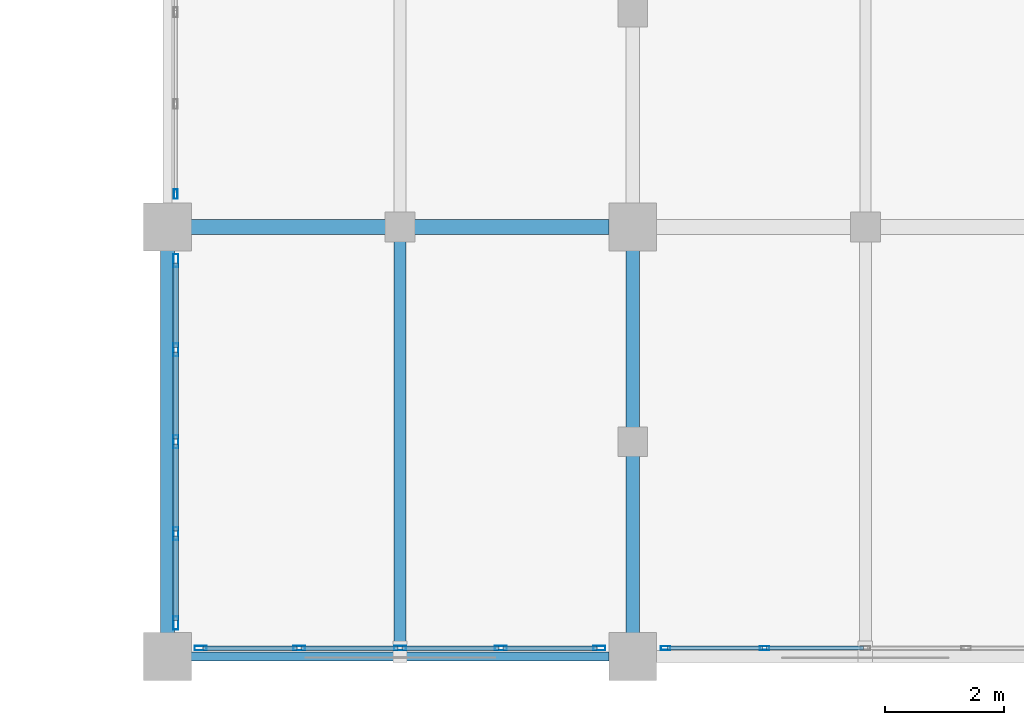
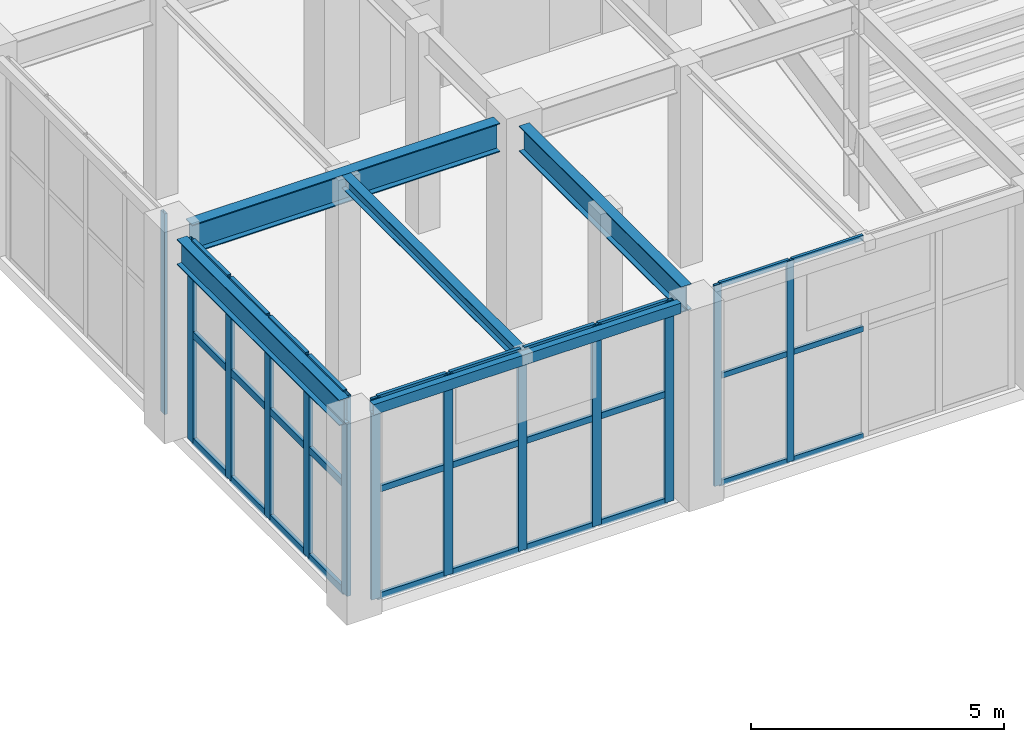
# One storey, part 75 of 128: 43 members, 5 beams, 4 elements without a shape of their own.
"""IFC4 building model written with IfcOpenShell, lengths in metres."""

from ifc_helpers import new_model, si_unit, direction, frame, origin, origin_2d, place, context, subcontext, project, spatial, hollow_rectangle, i_section, extrude, material, layer, layer_set, material_profile, profile_set, type_object, element, aggregate, save


model = new_model("IFC4")

# Units and contexts
model_context = context("Model", 3, precision=1e-05, world=origin(), true_north=direction((0.0, 1.0)))
body_context = subcontext(model_context, "Body", "Model", "MODEL_VIEW")
ifc_project = project(units=[si_unit("LENGTHUNIT", "METRE"), si_unit("AREAUNIT", "SQUARE_METRE"), si_unit("VOLUMEUNIT", "CUBIC_METRE"), si_unit("PLANEANGLEUNIT", "RADIAN"), si_unit("MASSUNIT", "GRAM", prefix="KILO")], contexts=[model_context])

# Site, building, storey
site_placement = place(None, origin())
site = spatial("IfcSite", under=ifc_project, at=site_placement, CompositionType="ELEMENT")
building_placement = place(site_placement, origin())
building = spatial("IfcBuilding", under=site, at=building_placement, Name="Xicomal Pleat Aquarium", CompositionType="ELEMENT")
storey_placement = place(building_placement, frame((0.0, 0.0, 5.39990234375)))
storey = spatial("IfcBuildingStorey", under=building, at=storey_placement, Name="L02", CompositionType="ELEMENT", Elevation=5.39990234375)

# Beams
ifc_material_1 = material(Name="Structural steel A992 Gr 50", Category="steel")
ifc_material_profile_1 = material_profile(ifc_material_1, i_section(OverallWidth=0.202880859375, OverallDepth=0.302978515625, WebThickness=0.007568359375, FlangeThickness=0.01318359375, at=origin_2d()), Name="IR 310x60")
ifc_profile_set_1 = profile_set([ifc_material_profile_1], Name="Structural steel A992 Gr 50")
beam_type_1 = type_object("IfcBeamType", Name="BM-STL-IR310", PredefinedType="JOIST", material=ifc_profile_set_1)
beam_1_placement = place(storey_placement, frame((137.699951171875, 0.8779296875, 4.6884765625), z_axis=(0.0, 1.0, 0.0), x_axis=(-1.0, 0.0, 0.0)))
element("IfcBeam", 1, at=beam_1_placement, inside=storey, type_object=beam_type_1, Name="L02 framing beam FBJ-L02-17-A-1", PredefinedType="JOIST", context=body_context, shape_type="SweptSolid", body=[
    extrude(i_section(OverallWidth=0.202880859375, OverallDepth=0.302978515625, WebThickness=0.007568359375, FlangeThickness=0.01318359375, at=origin_2d()), origin(), (0.0, 0.0, 1.0), 6.990966796875),
])
ifc_material_2 = material(Name="Structural steel A992 Gr 50", Category="steel")
ifc_material_profile_2 = material_profile(ifc_material_2, i_section(OverallWidth=0.22998046875, OverallDepth=0.616943359375, WebThickness=0.01318359375, FlangeThickness=0.022216796875, at=origin_2d()), Name="IR 610x140")
ifc_profile_set_2 = profile_set([ifc_material_profile_2], Name="Structural steel A992 Gr 50")
beam_type_2 = type_object("IfcBeamType", Name="BM-STL-IR610", PredefinedType="BEAM", material=ifc_profile_set_2)
for number, where, z_axis, x_axis, name in (
    (2, (133.800048828125, 1.195068359375, 4.531494140625), (0.0, 1.0, 0.0), (-1.0, 0.0, 0.0), "L02 framing beam FGY-L02-17-A-B"),
    (3, (141.60009765625, 1.195068359375, 4.531494140625), (0.0, 1.0, 0.0), (-1.0, 0.0, 0.0), "L02 framing beam FGY-L02-18-A-B"),
):
    element("IfcBeam", number, at=place(storey_placement, frame(where, z_axis=z_axis, x_axis=x_axis)), inside=storey, type_object=beam_type_2, Name=name, PredefinedType="BEAM", context=body_context, shape_type="SweptSolid", body=[
        extrude(i_section(OverallWidth=0.22998046875, OverallDepth=0.616943359375, WebThickness=0.01318359375, FlangeThickness=0.022216796875, at=origin_2d()), origin(), (0.0, 0.0, 1.0), 6.409912109375),
    ])
ifc_material_3 = material(Name="Structural steel A992 Gr 50", Category="steel")
ifc_material_profile_3 = material_profile(ifc_material_3, i_section(OverallWidth=0.256103515625, OverallDepth=0.693115234375, WebThickness=0.014404296875, FlangeThickness=0.023681640625, at=origin_2d()), Name="IR 690x170")
ifc_profile_set_3 = profile_set([ifc_material_profile_3], Name="Structural steel A992 Gr 50")
beam_type_3 = type_object("IfcBeamType", Name="BM-STL-IR690", PredefinedType="BEAM", material=ifc_profile_set_3)
beam_2_placement = place(storey_placement, frame((134.195068359375, 8.0, 4.49365234375), z_axis=(1.0, 0.0, 0.0), x_axis=(0.0, 1.0, 0.0)))
element("IfcBeam", 4, at=beam_2_placement, inside=storey, type_object=beam_type_3, Name="L02 framing beam FGX-L02-17-18-B", PredefinedType="BEAM", context=body_context, shape_type="SweptSolid", body=[
    extrude(i_section(OverallWidth=0.256103515625, OverallDepth=0.693115234375, WebThickness=0.014404296875, FlangeThickness=0.023681640625, at=origin_2d()), origin(), (0.0, 0.0, 1.0), 7.010009765625),
])
ifc_material_4 = material(Name="Structural steel A500 Gr C", Category="steel")
ifc_material_profile_4 = material_profile(ifc_material_4, hollow_rectangle(XDim=0.14990234375, YDim=0.25, WallThickness=0.010009765625, at=origin_2d()), Name="OR 250x150x10")
ifc_profile_set_4 = profile_set([ifc_material_profile_4], Name="Structural steel A500 Gr C")
beam_type_4 = type_object("IfcBeamType", Name="BM-STL-OR250", PredefinedType="SPANDREL", material=ifc_profile_set_4)
beam_3_placement = place(storey_placement, frame((134.195068359375, 0.800048828125, 4.715087890625), z_axis=(1.0, 0.0, 0.0), x_axis=(0.0, 1.0, 0.0)))
element("IfcBeam", 5, at=beam_3_placement, inside=storey, type_object=beam_type_4, Name="L02 framing beam FGX-L02-17-18-A", PredefinedType="SPANDREL", context=body_context, shape_type="SweptSolid", body=[
    extrude(hollow_rectangle(XDim=0.14990234375, YDim=0.25, WallThickness=0.010009765625, at=origin_2d()), origin(), (0.0, 0.0, 1.0), 7.010009765625),
])

# Curtain wall, members
ifc_material_5 = material(Name="Bronze anodized aluminium 6063-T6", Category="aluminium")
ifc_layer_1 = layer(ifc_material_5, 0.159912109375)
ifc_layer_set_1 = layer_set([ifc_layer_1], Name="Bronze anodized aluminium 6063-T6")
curtain_wall_type_1 = type_object("IfcCurtainWallType", Name="CW-SYS-02", PredefinedType="NOTDEFINED", material=ifc_layer_set_1)
curtain_wall_1_placement = place(storey_placement, origin())
curtain_wall_1 = element("IfcCurtainWall", 6, at=curtain_wall_1_placement, inside=storey, type_object=curtain_wall_type_1, Name="L02 unitised curtain wall CW-L02-075", PredefinedType="NOTDEFINED")
ifc_material_6 = material(Name="Bronze anodized aluminium 6063-T6", Category="aluminium")
ifc_material_profile_5 = material_profile(ifc_material_6, hollow_rectangle(XDim=0.06494140625, YDim=0.159912109375, WallThickness=0.00390625, at=origin_2d()), Name="ALU MULL 65x160")
ifc_profile_set_5 = profile_set([ifc_material_profile_5], Name="Bronze anodized aluminium 6063-T6")
member_type_1 = type_object("IfcMemberType", Name="CWM-65x160", PredefinedType="MULLION", material=ifc_profile_set_5)
member_1_placement = place(storey_placement, frame((143.81005859375, 0.93994140625, 0.0), z_axis=(0.0, 0.0, 1.0), x_axis=(0.0, -1.0, 0.0)))
member_1 = element("IfcMember", 7, at=member_1_placement, type_object=member_type_1, Name="CW-02 mullion 4", PredefinedType="MULLION", context=body_context, shape_type="SweptSolid", body=[
    extrude(hollow_rectangle(XDim=0.06494140625, YDim=0.159912109375, WallThickness=0.00390625, at=origin_2d()), origin(), (0.0, 0.0, 1.0), 4.840087890625),
])
member_2_placement = place(storey_placement, frame((142.152587890625, 0.93994140625, 0.0), z_axis=(0.0, 0.0, 1.0), x_axis=(0.0, -1.0, 0.0)))
member_2 = element("IfcMember", 8, at=member_2_placement, type_object=member_type_1, Name="CW-02 mullion 5", PredefinedType="MULLION", context=body_context, shape_type="SweptSolid", body=[
    extrude(hollow_rectangle(XDim=0.06494140625, YDim=0.159912109375, WallThickness=0.00390625, at=origin_2d()), origin(), (0.0, 0.0, 1.0), 4.840087890625),
])

# Curtain wall, member
curtain_wall_2_placement = place(storey_placement, origin())
curtain_wall_2 = element("IfcCurtainWall", 9, at=curtain_wall_2_placement, inside=storey, type_object=curtain_wall_type_1, Name="L02 unitised curtain wall CW-L02-078", PredefinedType="NOTDEFINED")
member_3_placement = place(storey_placement, frame((133.93994140625, 8.552490234375, 0.0), z_axis=(0.0, 0.0, 1.0), x_axis=(-1.0, 0.0, 0.0)))
member_3 = element("IfcMember", 10, at=member_3_placement, type_object=member_type_1, Name="CW-02 mullion 1", PredefinedType="MULLION", context=body_context, shape_type="SweptSolid", body=[
    extrude(hollow_rectangle(XDim=0.06494140625, YDim=0.159912109375, WallThickness=0.00390625, at=origin_2d()), origin(), (0.0, 0.0, 1.0), 4.840087890625),
])
aggregate(curtain_wall_2, [member_3])

# Curtain wall, members
ifc_material_7 = material(Name="Bronze anodized aluminium 6063-T6", Category="aluminium")
ifc_layer_2 = layer(ifc_material_7, 0.159912109375)
ifc_layer_set_2 = layer_set([ifc_layer_2], Name="Bronze anodized aluminium 6063-T6")
curtain_wall_type_2 = type_object("IfcCurtainWallType", Name="CW-SYS-07", PredefinedType="NOTDEFINED", material=ifc_layer_set_2)
curtain_wall_3_placement = place(storey_placement, origin())
curtain_wall_3 = element("IfcCurtainWall", 11, at=curtain_wall_3_placement, inside=storey, type_object=curtain_wall_type_2, Name="L02 unitised curtain wall CW-L02-076", PredefinedType="NOTDEFINED")
ifc_material_8 = material(Name="Bronze anodized aluminium 6063-T6", Category="aluminium")
ifc_material_profile_6 = material_profile(ifc_material_8, hollow_rectangle(XDim=0.074951171875, YDim=0.199951171875, WallThickness=0.00439453125, at=origin_2d()), Name="ALU MULL 75x200")
ifc_profile_set_6 = profile_set([ifc_material_profile_6], Name="Bronze anodized aluminium 6063-T6")
member_type_2 = type_object("IfcMemberType", Name="CWM-75x200", PredefinedType="MULLION", material=ifc_profile_set_6)
member_4_placement = place(storey_placement, frame((141.04248046875, 0.93994140625, 0.0), z_axis=(0.0, 0.0, 1.0), x_axis=(0.0, -1.0, 0.0)))
member_4 = element("IfcMember", 12, at=member_4_placement, type_object=member_type_2, Name="CW-07 mullion 1", PredefinedType="MULLION", context=body_context, shape_type="SweptSolid", body=[
    extrude(hollow_rectangle(XDim=0.074951171875, YDim=0.199951171875, WallThickness=0.00439453125, at=origin_2d()), origin(), (0.0, 0.0, 1.0), 4.840087890625),
])
member_5_placement = place(storey_placement, frame((139.389892578125, 0.93994140625, 0.0), z_axis=(0.0, 0.0, 1.0), x_axis=(0.0, -1.0, 0.0)))
member_5 = element("IfcMember", 13, at=member_5_placement, type_object=member_type_2, Name="CW-07 mullion 2", PredefinedType="MULLION", context=body_context, shape_type="SweptSolid", body=[
    extrude(hollow_rectangle(XDim=0.074951171875, YDim=0.199951171875, WallThickness=0.00439453125, at=origin_2d()), origin(), (0.0, 0.0, 1.0), 4.840087890625),
])
member_6_placement = place(storey_placement, frame((137.699951171875, 0.93994140625, 0.0), z_axis=(0.0, 0.0, 1.0), x_axis=(0.0, -1.0, 0.0)))
member_6 = element("IfcMember", 14, at=member_6_placement, type_object=member_type_2, Name="CW-07 mullion 3", PredefinedType="MULLION", context=body_context, shape_type="SweptSolid", body=[
    extrude(hollow_rectangle(XDim=0.074951171875, YDim=0.199951171875, WallThickness=0.00439453125, at=origin_2d()), origin(), (0.0, 0.0, 1.0), 4.840087890625),
])
member_7_placement = place(storey_placement, frame((136.010009765625, 0.93994140625, 0.0), z_axis=(0.0, 0.0, 1.0), x_axis=(0.0, -1.0, 0.0)))
member_7 = element("IfcMember", 15, at=member_7_placement, type_object=member_type_2, Name="CW-07 mullion 4", PredefinedType="MULLION", context=body_context, shape_type="SweptSolid", body=[
    extrude(hollow_rectangle(XDim=0.074951171875, YDim=0.199951171875, WallThickness=0.00439453125, at=origin_2d()), origin(), (0.0, 0.0, 1.0), 4.840087890625),
])
member_8_placement = place(storey_placement, frame((134.357421875, 0.93994140625, 0.0), z_axis=(0.0, 0.0, 1.0), x_axis=(0.0, -1.0, 0.0)))
member_8 = element("IfcMember", 16, at=member_8_placement, type_object=member_type_2, Name="CW-07 mullion 5", PredefinedType="MULLION", context=body_context, shape_type="SweptSolid", body=[
    extrude(hollow_rectangle(XDim=0.074951171875, YDim=0.199951171875, WallThickness=0.00439453125, at=origin_2d()), origin(), (0.0, 0.0, 1.0), 4.840087890625),
])

ifc_material_9 = material(Name="Bronze anodized aluminium 6063-T6", Category="aluminium")
ifc_layer_3 = layer(ifc_material_9, 0.159912109375)
ifc_layer_set_3 = layer_set([ifc_layer_3], Name="Bronze anodized aluminium 6063-T6")
curtain_wall_type_3 = type_object("IfcCurtainWallType", Name="CW-SYS-12", PredefinedType="NOTDEFINED", material=ifc_layer_set_3)
curtain_wall_4_placement = place(storey_placement, origin())
curtain_wall_4 = element("IfcCurtainWall", 17, at=curtain_wall_4_placement, inside=storey, type_object=curtain_wall_type_3, Name="L02 unitised curtain wall CW-L02-077", PredefinedType="NOTDEFINED")
ifc_material_10 = material(Name="Bronze anodized aluminium 6063-T6", Category="aluminium")
ifc_material_profile_7 = material_profile(ifc_material_10, hollow_rectangle(XDim=0.0849609375, YDim=0.219970703125, WallThickness=0.0048828125, at=origin_2d()), Name="ALU MULL 85x220")
ifc_profile_set_7 = profile_set([ifc_material_profile_7], Name="Bronze anodized aluminium 6063-T6")
member_type_3 = type_object("IfcMemberType", Name="CWM-85x220", PredefinedType="MULLION", material=ifc_profile_set_7)
member_9_placement = place(storey_placement, frame((133.93994140625, 1.362548828125, 0.0), z_axis=(0.0, 0.0, 1.0), x_axis=(-1.0, 0.0, 0.0)))
member_9 = element("IfcMember", 18, at=member_9_placement, type_object=member_type_3, Name="CW-12 mullion 1", PredefinedType="MULLION", context=body_context, shape_type="SweptSolid", body=[
    extrude(hollow_rectangle(XDim=0.0849609375, YDim=0.219970703125, WallThickness=0.0048828125, at=origin_2d()), origin(), (0.0, 0.0, 1.0), 4.840087890625),
])
member_10_placement = place(storey_placement, frame((133.93994140625, 2.860107421875, 0.0), z_axis=(0.0, 0.0, 1.0), x_axis=(-1.0, 0.0, 0.0)))
member_10 = element("IfcMember", 19, at=member_10_placement, type_object=member_type_3, Name="CW-12 mullion 2", PredefinedType="MULLION", context=body_context, shape_type="SweptSolid", body=[
    extrude(hollow_rectangle(XDim=0.0849609375, YDim=0.219970703125, WallThickness=0.0048828125, at=origin_2d()), origin(), (0.0, 0.0, 1.0), 4.840087890625),
])
member_11_placement = place(storey_placement, frame((133.93994140625, 4.39990234375, 0.0), z_axis=(0.0, 0.0, 1.0), x_axis=(-1.0, 0.0, 0.0)))
member_11 = element("IfcMember", 20, at=member_11_placement, type_object=member_type_3, Name="CW-12 mullion 3", PredefinedType="MULLION", context=body_context, shape_type="SweptSolid", body=[
    extrude(hollow_rectangle(XDim=0.0849609375, YDim=0.219970703125, WallThickness=0.0048828125, at=origin_2d()), origin(), (0.0, 0.0, 1.0), 4.840087890625),
])
member_12_placement = place(storey_placement, frame((133.93994140625, 5.93994140625, 0.0), z_axis=(0.0, 0.0, 1.0), x_axis=(-1.0, 0.0, 0.0)))
member_12 = element("IfcMember", 21, at=member_12_placement, type_object=member_type_3, Name="CW-12 mullion 4", PredefinedType="MULLION", context=body_context, shape_type="SweptSolid", body=[
    extrude(hollow_rectangle(XDim=0.0849609375, YDim=0.219970703125, WallThickness=0.0048828125, at=origin_2d()), origin(), (0.0, 0.0, 1.0), 4.840087890625),
])
member_13_placement = place(storey_placement, frame((133.93994140625, 7.4375, 0.0), z_axis=(0.0, 0.0, 1.0), x_axis=(-1.0, 0.0, 0.0)))
member_13 = element("IfcMember", 22, at=member_13_placement, type_object=member_type_3, Name="CW-12 mullion 5", PredefinedType="MULLION", context=body_context, shape_type="SweptSolid", body=[
    extrude(hollow_rectangle(XDim=0.0849609375, YDim=0.219970703125, WallThickness=0.0048828125, at=origin_2d()), origin(), (0.0, 0.0, 1.0), 4.840087890625),
])

# Member
ifc_material_11 = material(Name="Bronze anodized aluminium 6063-T6", Category="aluminium")
ifc_material_profile_8 = material_profile(ifc_material_11, hollow_rectangle(XDim=0.06494140625, YDim=0.1298828125, WallThickness=0.00390625, at=origin_2d()), Name="ALU TRAN 65x130")
ifc_profile_set_8 = profile_set([ifc_material_profile_8], Name="Bronze anodized aluminium 6063-T6")
member_type_4 = type_object("IfcMemberType", Name="CWT-65x130", PredefinedType="USERDEFINED", material=ifc_profile_set_8)
member_14_placement = place(storey_placement, frame((145.467529296875, 0.93994140625, 0.03271484375), z_axis=(-1.0, 0.0, 0.0), x_axis=(0.0, -1.0, 0.0)))
member_14 = element("IfcMember", 23, at=member_14_placement, type_object=member_type_4, Name="CW-02 transom 3.1", ObjectType="TRANSOM", PredefinedType="USERDEFINED", context=body_context, shape_type="SweptSolid", body=[
    extrude(hollow_rectangle(XDim=0.06494140625, YDim=0.1298828125, WallThickness=0.00390625, at=origin_2d()), origin(), (0.0, 0.0, 1.0), 1.625),
])

member_15_placement = place(storey_placement, frame((145.467529296875, 0.93994140625, 2.614013671875), z_axis=(-1.0, 0.0, 0.0), x_axis=(0.0, -1.0, 0.0)))
member_15 = element("IfcMember", 24, at=member_15_placement, type_object=member_type_4, Name="CW-02 transom 3.2", ObjectType="TRANSOM", PredefinedType="USERDEFINED", context=body_context, shape_type="SweptSolid", body=[
    extrude(hollow_rectangle(XDim=0.06494140625, YDim=0.1298828125, WallThickness=0.00390625, at=origin_2d()), origin(), (0.0, 0.0, 1.0), 1.625),
])

member_16_placement = place(storey_placement, frame((145.467529296875, 0.93994140625, 4.8076171875), z_axis=(-1.0, 0.0, 0.0), x_axis=(0.0, -1.0, 0.0)))
member_16 = element("IfcMember", 25, at=member_16_placement, type_object=member_type_4, Name="CW-02 transom 3.3", ObjectType="TRANSOM", PredefinedType="USERDEFINED", context=body_context, shape_type="SweptSolid", body=[
    extrude(hollow_rectangle(XDim=0.06494140625, YDim=0.1298828125, WallThickness=0.00390625, at=origin_2d()), origin(), (0.0, 0.0, 1.0), 1.625),
])

member_17_placement = place(storey_placement, frame((143.777587890625, 0.93994140625, 0.03271484375), z_axis=(-1.0, 0.0, 0.0), x_axis=(0.0, -1.0, 0.0)))
member_17 = element("IfcMember", 26, at=member_17_placement, type_object=member_type_4, Name="CW-02 transom 4.1", ObjectType="TRANSOM", PredefinedType="USERDEFINED", context=body_context, shape_type="SweptSolid", body=[
    extrude(hollow_rectangle(XDim=0.06494140625, YDim=0.1298828125, WallThickness=0.00390625, at=origin_2d()), origin(), (0.0, 0.0, 1.0), 1.592529296875),
])

member_18_placement = place(storey_placement, frame((143.777587890625, 0.93994140625, 2.614013671875), z_axis=(-1.0, 0.0, 0.0), x_axis=(0.0, -1.0, 0.0)))
member_18 = element("IfcMember", 27, at=member_18_placement, type_object=member_type_4, Name="CW-02 transom 4.2", ObjectType="TRANSOM", PredefinedType="USERDEFINED", context=body_context, shape_type="SweptSolid", body=[
    extrude(hollow_rectangle(XDim=0.06494140625, YDim=0.1298828125, WallThickness=0.00390625, at=origin_2d()), origin(), (0.0, 0.0, 1.0), 1.592529296875),
])

member_19_placement = place(storey_placement, frame((143.777587890625, 0.93994140625, 4.8076171875), z_axis=(-1.0, 0.0, 0.0), x_axis=(0.0, -1.0, 0.0)))
member_19 = element("IfcMember", 28, at=member_19_placement, type_object=member_type_4, Name="CW-02 transom 4.3", ObjectType="TRANSOM", PredefinedType="USERDEFINED", context=body_context, shape_type="SweptSolid", body=[
    extrude(hollow_rectangle(XDim=0.06494140625, YDim=0.1298828125, WallThickness=0.00390625, at=origin_2d()), origin(), (0.0, 0.0, 1.0), 1.592529296875),
])

aggregate(curtain_wall_1, [member_1, member_2, member_14, member_15, member_16, member_17, member_18, member_19])

ifc_material_12 = material(Name="Bronze anodized aluminium 6063-T6", Category="aluminium")
ifc_material_profile_9 = material_profile(ifc_material_12, hollow_rectangle(XDim=0.074951171875, YDim=0.14990234375, WallThickness=0.00439453125, at=origin_2d()), Name="ALU TRAN 75x150")
ifc_profile_set_9 = profile_set([ifc_material_profile_9], Name="Bronze anodized aluminium 6063-T6")
member_type_5 = type_object("IfcMemberType", Name="CWT-75x150", PredefinedType="USERDEFINED", material=ifc_profile_set_9)
member_20_placement = place(storey_placement, frame((141.0048828125, 0.93994140625, 0.03759765625), z_axis=(-1.0, 0.0, 0.0), x_axis=(0.0, -1.0, 0.0)))
member_20 = element("IfcMember", 29, at=member_20_placement, type_object=member_type_5, Name="CW-07 transom 1.1", ObjectType="TRANSOM", PredefinedType="USERDEFINED", context=body_context, shape_type="SweptSolid", body=[
    extrude(hollow_rectangle(XDim=0.074951171875, YDim=0.14990234375, WallThickness=0.00439453125, at=origin_2d()), origin(), (0.0, 0.0, 1.0), 1.577392578125),
])

member_21_placement = place(storey_placement, frame((141.0048828125, 0.93994140625, 2.614013671875), z_axis=(-1.0, 0.0, 0.0), x_axis=(0.0, -1.0, 0.0)))
member_21 = element("IfcMember", 30, at=member_21_placement, type_object=member_type_5, Name="CW-07 transom 1.2", ObjectType="TRANSOM", PredefinedType="USERDEFINED", context=body_context, shape_type="SweptSolid", body=[
    extrude(hollow_rectangle(XDim=0.074951171875, YDim=0.14990234375, WallThickness=0.00439453125, at=origin_2d()), origin(), (0.0, 0.0, 1.0), 1.577392578125),
])

member_22_placement = place(storey_placement, frame((141.0048828125, 0.93994140625, 4.802490234375), z_axis=(-1.0, 0.0, 0.0), x_axis=(0.0, -1.0, 0.0)))
member_22 = element("IfcMember", 31, at=member_22_placement, type_object=member_type_5, Name="CW-07 transom 1.3", ObjectType="TRANSOM", PredefinedType="USERDEFINED", context=body_context, shape_type="SweptSolid", body=[
    extrude(hollow_rectangle(XDim=0.074951171875, YDim=0.14990234375, WallThickness=0.00439453125, at=origin_2d()), origin(), (0.0, 0.0, 1.0), 1.577392578125),
])

member_23_placement = place(storey_placement, frame((139.3525390625, 0.93994140625, 0.03759765625), z_axis=(-1.0, 0.0, 0.0), x_axis=(0.0, -1.0, 0.0)))
member_23 = element("IfcMember", 32, at=member_23_placement, type_object=member_type_5, Name="CW-07 transom 2.1", ObjectType="TRANSOM", PredefinedType="USERDEFINED", context=body_context, shape_type="SweptSolid", body=[
    extrude(hollow_rectangle(XDim=0.074951171875, YDim=0.14990234375, WallThickness=0.00439453125, at=origin_2d()), origin(), (0.0, 0.0, 1.0), 1.614990234375),
])

member_24_placement = place(storey_placement, frame((139.3525390625, 0.93994140625, 2.614013671875), z_axis=(-1.0, 0.0, 0.0), x_axis=(0.0, -1.0, 0.0)))
member_24 = element("IfcMember", 33, at=member_24_placement, type_object=member_type_5, Name="CW-07 transom 2.2", ObjectType="TRANSOM", PredefinedType="USERDEFINED", context=body_context, shape_type="SweptSolid", body=[
    extrude(hollow_rectangle(XDim=0.074951171875, YDim=0.14990234375, WallThickness=0.00439453125, at=origin_2d()), origin(), (0.0, 0.0, 1.0), 1.614990234375),
])

member_25_placement = place(storey_placement, frame((139.3525390625, 0.93994140625, 4.802490234375), z_axis=(-1.0, 0.0, 0.0), x_axis=(0.0, -1.0, 0.0)))
member_25 = element("IfcMember", 34, at=member_25_placement, type_object=member_type_5, Name="CW-07 transom 2.3", ObjectType="TRANSOM", PredefinedType="USERDEFINED", context=body_context, shape_type="SweptSolid", body=[
    extrude(hollow_rectangle(XDim=0.074951171875, YDim=0.14990234375, WallThickness=0.00439453125, at=origin_2d()), origin(), (0.0, 0.0, 1.0), 1.614990234375),
])

member_26_placement = place(storey_placement, frame((137.66259765625, 0.93994140625, 0.03759765625), z_axis=(-1.0, 0.0, 0.0), x_axis=(0.0, -1.0, 0.0)))
member_26 = element("IfcMember", 35, at=member_26_placement, type_object=member_type_5, Name="CW-07 transom 3.1", ObjectType="TRANSOM", PredefinedType="USERDEFINED", context=body_context, shape_type="SweptSolid", body=[
    extrude(hollow_rectangle(XDim=0.074951171875, YDim=0.14990234375, WallThickness=0.00439453125, at=origin_2d()), origin(), (0.0, 0.0, 1.0), 1.614990234375),
])

member_27_placement = place(storey_placement, frame((137.66259765625, 0.93994140625, 2.614013671875), z_axis=(-1.0, 0.0, 0.0), x_axis=(0.0, -1.0, 0.0)))
member_27 = element("IfcMember", 36, at=member_27_placement, type_object=member_type_5, Name="CW-07 transom 3.2", ObjectType="TRANSOM", PredefinedType="USERDEFINED", context=body_context, shape_type="SweptSolid", body=[
    extrude(hollow_rectangle(XDim=0.074951171875, YDim=0.14990234375, WallThickness=0.00439453125, at=origin_2d()), origin(), (0.0, 0.0, 1.0), 1.614990234375),
])

member_28_placement = place(storey_placement, frame((137.66259765625, 0.93994140625, 4.802490234375), z_axis=(-1.0, 0.0, 0.0), x_axis=(0.0, -1.0, 0.0)))
member_28 = element("IfcMember", 37, at=member_28_placement, type_object=member_type_5, Name="CW-07 transom 3.3", ObjectType="TRANSOM", PredefinedType="USERDEFINED", context=body_context, shape_type="SweptSolid", body=[
    extrude(hollow_rectangle(XDim=0.074951171875, YDim=0.14990234375, WallThickness=0.00439453125, at=origin_2d()), origin(), (0.0, 0.0, 1.0), 1.614990234375),
])

member_29_placement = place(storey_placement, frame((135.972412109375, 0.93994140625, 0.03759765625), z_axis=(-1.0, 0.0, 0.0), x_axis=(0.0, -1.0, 0.0)))
member_29 = element("IfcMember", 38, at=member_29_placement, type_object=member_type_5, Name="CW-07 transom 4.1", ObjectType="TRANSOM", PredefinedType="USERDEFINED", context=body_context, shape_type="SweptSolid", body=[
    extrude(hollow_rectangle(XDim=0.074951171875, YDim=0.14990234375, WallThickness=0.00439453125, at=origin_2d()), origin(), (0.0, 0.0, 1.0), 1.577392578125),
])

member_30_placement = place(storey_placement, frame((135.972412109375, 0.93994140625, 2.614013671875), z_axis=(-1.0, 0.0, 0.0), x_axis=(0.0, -1.0, 0.0)))
member_30 = element("IfcMember", 39, at=member_30_placement, type_object=member_type_5, Name="CW-07 transom 4.2", ObjectType="TRANSOM", PredefinedType="USERDEFINED", context=body_context, shape_type="SweptSolid", body=[
    extrude(hollow_rectangle(XDim=0.074951171875, YDim=0.14990234375, WallThickness=0.00439453125, at=origin_2d()), origin(), (0.0, 0.0, 1.0), 1.577392578125),
])

member_31_placement = place(storey_placement, frame((135.972412109375, 0.93994140625, 4.802490234375), z_axis=(-1.0, 0.0, 0.0), x_axis=(0.0, -1.0, 0.0)))
member_31 = element("IfcMember", 40, at=member_31_placement, type_object=member_type_5, Name="CW-07 transom 4.3", ObjectType="TRANSOM", PredefinedType="USERDEFINED", context=body_context, shape_type="SweptSolid", body=[
    extrude(hollow_rectangle(XDim=0.074951171875, YDim=0.14990234375, WallThickness=0.00439453125, at=origin_2d()), origin(), (0.0, 0.0, 1.0), 1.577392578125),
])

aggregate(curtain_wall_3, [member_4, member_5, member_6, member_7, member_8, member_20, member_21, member_22, member_23, member_24, member_25, member_26, member_27, member_28, member_29, member_30, member_31])

ifc_material_13 = material(Name="Bronze anodized aluminium 6063-T6", Category="aluminium")
ifc_material_profile_10 = material_profile(ifc_material_13, hollow_rectangle(XDim=0.0849609375, YDim=0.169921875, WallThickness=0.0048828125, at=origin_2d()), Name="ALU TRAN 85x170")
ifc_profile_set_10 = profile_set([ifc_material_profile_10], Name="Bronze anodized aluminium 6063-T6")
member_type_6 = type_object("IfcMemberType", Name="CWT-85x170", PredefinedType="USERDEFINED", material=ifc_profile_set_10)
member_32_placement = place(storey_placement, frame((133.93994140625, 1.405029296875, 0.04248046875), z_axis=(0.0, 1.0, 0.0), x_axis=(-1.0, 0.0, 0.0)))
member_32 = element("IfcMember", 41, at=member_32_placement, type_object=member_type_6, Name="CW-12 transom 1.1", ObjectType="TRANSOM", PredefinedType="USERDEFINED", context=body_context, shape_type="SweptSolid", body=[
    extrude(hollow_rectangle(XDim=0.0849609375, YDim=0.169921875, WallThickness=0.0048828125, at=origin_2d()), origin(), (0.0, 0.0, 1.0), 1.412353515625),
])

member_33_placement = place(storey_placement, frame((133.93994140625, 1.405029296875, 2.614013671875), z_axis=(0.0, 1.0, 0.0), x_axis=(-1.0, 0.0, 0.0)))
member_33 = element("IfcMember", 42, at=member_33_placement, type_object=member_type_6, Name="CW-12 transom 1.2", ObjectType="TRANSOM", PredefinedType="USERDEFINED", context=body_context, shape_type="SweptSolid", body=[
    extrude(hollow_rectangle(XDim=0.0849609375, YDim=0.169921875, WallThickness=0.0048828125, at=origin_2d()), origin(), (0.0, 0.0, 1.0), 1.412353515625),
])

member_34_placement = place(storey_placement, frame((133.93994140625, 1.405029296875, 4.797607421875), z_axis=(0.0, 1.0, 0.0), x_axis=(-1.0, 0.0, 0.0)))
member_34 = element("IfcMember", 43, at=member_34_placement, type_object=member_type_6, Name="CW-12 transom 1.3", ObjectType="TRANSOM", PredefinedType="USERDEFINED", context=body_context, shape_type="SweptSolid", body=[
    extrude(hollow_rectangle(XDim=0.0849609375, YDim=0.169921875, WallThickness=0.0048828125, at=origin_2d()), origin(), (0.0, 0.0, 1.0), 1.412353515625),
])

member_35_placement = place(storey_placement, frame((133.93994140625, 2.902587890625, 0.04248046875), z_axis=(0.0, 1.0, 0.0), x_axis=(-1.0, 0.0, 0.0)))
member_35 = element("IfcMember", 44, at=member_35_placement, type_object=member_type_6, Name="CW-12 transom 2.1", ObjectType="TRANSOM", PredefinedType="USERDEFINED", context=body_context, shape_type="SweptSolid", body=[
    extrude(hollow_rectangle(XDim=0.0849609375, YDim=0.169921875, WallThickness=0.0048828125, at=origin_2d()), origin(), (0.0, 0.0, 1.0), 1.454833984375),
])

member_36_placement = place(storey_placement, frame((133.93994140625, 2.902587890625, 2.614013671875), z_axis=(0.0, 1.0, 0.0), x_axis=(-1.0, 0.0, 0.0)))
member_36 = element("IfcMember", 45, at=member_36_placement, type_object=member_type_6, Name="CW-12 transom 2.2", ObjectType="TRANSOM", PredefinedType="USERDEFINED", context=body_context, shape_type="SweptSolid", body=[
    extrude(hollow_rectangle(XDim=0.0849609375, YDim=0.169921875, WallThickness=0.0048828125, at=origin_2d()), origin(), (0.0, 0.0, 1.0), 1.454833984375),
])

member_37_placement = place(storey_placement, frame((133.93994140625, 2.902587890625, 4.797607421875), z_axis=(0.0, 1.0, 0.0), x_axis=(-1.0, 0.0, 0.0)))
member_37 = element("IfcMember", 46, at=member_37_placement, type_object=member_type_6, Name="CW-12 transom 2.3", ObjectType="TRANSOM", PredefinedType="USERDEFINED", context=body_context, shape_type="SweptSolid", body=[
    extrude(hollow_rectangle(XDim=0.0849609375, YDim=0.169921875, WallThickness=0.0048828125, at=origin_2d()), origin(), (0.0, 0.0, 1.0), 1.454833984375),
])

member_38_placement = place(storey_placement, frame((133.93994140625, 4.4423828125, 0.04248046875), z_axis=(0.0, 1.0, 0.0), x_axis=(-1.0, 0.0, 0.0)))
member_38 = element("IfcMember", 47, at=member_38_placement, type_object=member_type_6, Name="CW-12 transom 3.1", ObjectType="TRANSOM", PredefinedType="USERDEFINED", context=body_context, shape_type="SweptSolid", body=[
    extrude(hollow_rectangle(XDim=0.0849609375, YDim=0.169921875, WallThickness=0.0048828125, at=origin_2d()), origin(), (0.0, 0.0, 1.0), 1.455078125),
])

member_39_placement = place(storey_placement, frame((133.93994140625, 4.4423828125, 2.614013671875), z_axis=(0.0, 1.0, 0.0), x_axis=(-1.0, 0.0, 0.0)))
member_39 = element("IfcMember", 48, at=member_39_placement, type_object=member_type_6, Name="CW-12 transom 3.2", ObjectType="TRANSOM", PredefinedType="USERDEFINED", context=body_context, shape_type="SweptSolid", body=[
    extrude(hollow_rectangle(XDim=0.0849609375, YDim=0.169921875, WallThickness=0.0048828125, at=origin_2d()), origin(), (0.0, 0.0, 1.0), 1.455078125),
])

member_40_placement = place(storey_placement, frame((133.93994140625, 4.4423828125, 4.797607421875), z_axis=(0.0, 1.0, 0.0), x_axis=(-1.0, 0.0, 0.0)))
member_40 = element("IfcMember", 49, at=member_40_placement, type_object=member_type_6, Name="CW-12 transom 3.3", ObjectType="TRANSOM", PredefinedType="USERDEFINED", context=body_context, shape_type="SweptSolid", body=[
    extrude(hollow_rectangle(XDim=0.0849609375, YDim=0.169921875, WallThickness=0.0048828125, at=origin_2d()), origin(), (0.0, 0.0, 1.0), 1.455078125),
])

member_41_placement = place(storey_placement, frame((133.93994140625, 5.982421875, 0.04248046875), z_axis=(0.0, 1.0, 0.0), x_axis=(-1.0, 0.0, 0.0)))
member_41 = element("IfcMember", 50, at=member_41_placement, type_object=member_type_6, Name="CW-12 transom 4.1", ObjectType="TRANSOM", PredefinedType="USERDEFINED", context=body_context, shape_type="SweptSolid", body=[
    extrude(hollow_rectangle(XDim=0.0849609375, YDim=0.169921875, WallThickness=0.0048828125, at=origin_2d()), origin(), (0.0, 0.0, 1.0), 1.41259765625),
])

member_42_placement = place(storey_placement, frame((133.93994140625, 5.982421875, 2.614013671875), z_axis=(0.0, 1.0, 0.0), x_axis=(-1.0, 0.0, 0.0)))
member_42 = element("IfcMember", 51, at=member_42_placement, type_object=member_type_6, Name="CW-12 transom 4.2", ObjectType="TRANSOM", PredefinedType="USERDEFINED", context=body_context, shape_type="SweptSolid", body=[
    extrude(hollow_rectangle(XDim=0.0849609375, YDim=0.169921875, WallThickness=0.0048828125, at=origin_2d()), origin(), (0.0, 0.0, 1.0), 1.41259765625),
])

member_43_placement = place(storey_placement, frame((133.93994140625, 5.982421875, 4.797607421875), z_axis=(0.0, 1.0, 0.0), x_axis=(-1.0, 0.0, 0.0)))
member_43 = element("IfcMember", 52, at=member_43_placement, type_object=member_type_6, Name="CW-12 transom 4.3", ObjectType="TRANSOM", PredefinedType="USERDEFINED", context=body_context, shape_type="SweptSolid", body=[
    extrude(hollow_rectangle(XDim=0.0849609375, YDim=0.169921875, WallThickness=0.0048828125, at=origin_2d()), origin(), (0.0, 0.0, 1.0), 1.41259765625),
])

aggregate(curtain_wall_4, [member_9, member_10, member_11, member_12, member_13, member_32, member_33, member_34, member_35, member_36, member_37, member_38, member_39, member_40, member_41, member_42, member_43])

save(model, "model.ifc")
